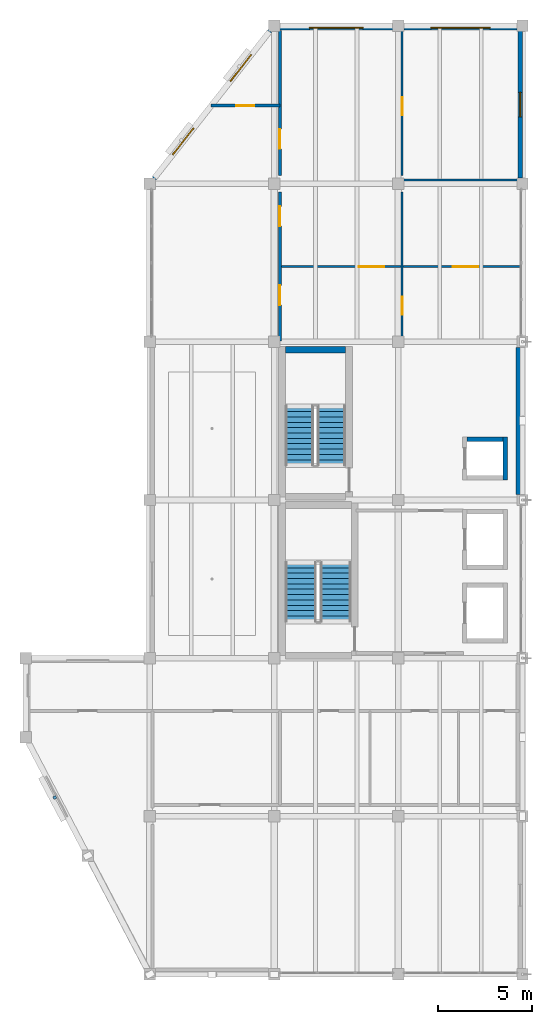
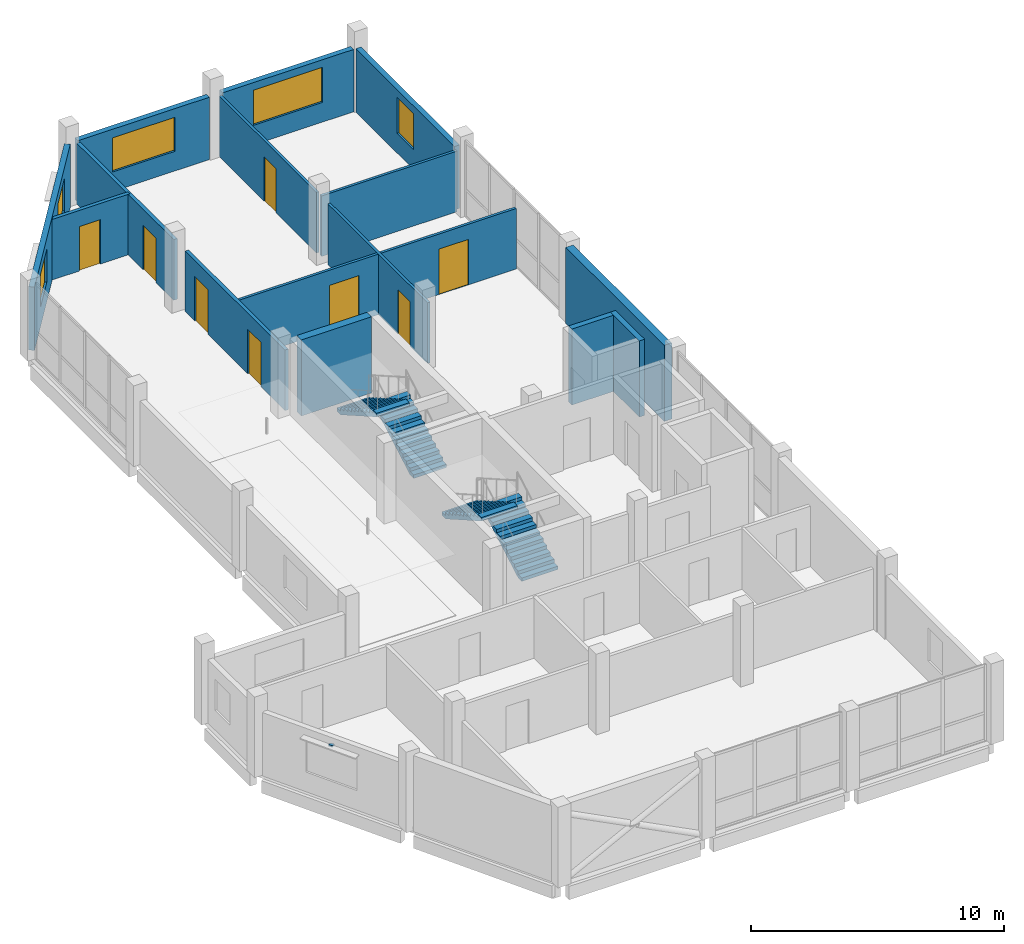
# One storey, part 7 of 12: 15 walls, 8 doors, 5 windows, 4 stair flights, 1 discrete accessory, 13 openings, 2 elements without a shape of their own.
"""IFC4 building model written with IfcOpenShell, lengths in metres."""

from ifc_helpers import new_model, si_unit, direction, frame, frame_2d, origin, origin_2d, place, context, subcontext, project, spatial, polyline, rectangle, outline, extrude, material, layer, layer_set, type_object, element, fill, aggregate, save


model = new_model("IFC4")

# Units and contexts
model_context = context("Model", 3, precision=1e-05, world=origin(), true_north=direction((0.0, 1.0)))
body_context = subcontext(model_context, "Body", "Model", "MODEL_VIEW")
ifc_project = project(units=[si_unit("LENGTHUNIT", "METRE"), si_unit("AREAUNIT", "SQUARE_METRE"), si_unit("VOLUMEUNIT", "CUBIC_METRE"), si_unit("PLANEANGLEUNIT", "RADIAN"), si_unit("MASSUNIT", "GRAM", prefix="KILO")], contexts=[model_context])

# Site, building, storey
site_placement = place(None, origin())
site = spatial("IfcSite", under=ifc_project, at=site_placement, CompositionType="ELEMENT")
building_placement = place(site_placement, origin())
building = spatial("IfcBuilding", under=site, at=building_placement, Name="Qaldarim Faculty of Natural and Applied Sciences", CompositionType="ELEMENT")
storey_placement = place(building_placement, frame((0.0, 0.0, 35.39990234375)))
storey = spatial("IfcBuildingStorey", under=building, at=storey_placement, Name="L08", CompositionType="ELEMENT", Elevation=35.39990234375)

# Wall, opening, door
ifc_material_1 = material(Name="Painted gypsum partition board")
ifc_layer_1 = layer(ifc_material_1, 0.1201171875)
ifc_layer_set_1 = layer_set([ifc_layer_1], Name="Painted gypsum partition board")
wall_type_1 = type_object("IfcWallType", Name="AcousticPartition-120", PredefinedType="PARTITIONING", material=ifc_layer_set_1)
wall_1_placement = place(storey_placement, frame((171.800048828125, 33.64990234375, 0.0), z_axis=(0.0, 0.0, 1.0), x_axis=(0.0, 1.0, 0.0)))
wall_1 = element("IfcWall", 1, at=wall_1_placement, inside=storey, type_object=wall_type_1, Name="Interior partition PRT-L08-U-D1-S1", PredefinedType="PARTITIONING", context=body_context, shape_type="SweptSolid", body=[
    extrude(rectangle(XDim=7.900146484375, YDim=0.1201171875, at=frame_2d((3.9501953125, 0.0))), origin(), (0.0, 0.0, 1.0), 2.93017578125),
])
opening_1_placement = place(wall_1_placement, frame((1.39990234375, 0.0, 0.0)))
opening_1 = element("IfcOpeningElement", 2, at=opening_1_placement, cuts=wall_1, Name="Opening ID01", PredefinedType="OPENING", context=body_context, shape_type="SweptSolid", body=[
    extrude(rectangle(XDim=0.949951171875, YDim=2.14990234375, at=frame_2d((0.47509765625, 1.074951171875))), frame((0.0, 0.070068359375, 0.0), z_axis=(0.0, -1.0, 0.0), x_axis=(1.0, 0.0, 0.0)), (0.0, 0.0, 1.0), 0.14013671875),
])
ifc_material_2 = material(Name="Oak hardwood", Category="wood")
door_type_1 = type_object("IfcDoorType", Name="SingleRoomDoor-950x2150", OperationType="NOTDEFINED", PredefinedType="DOOR", material=ifc_material_2)
door_1_placement = place(opening_1_placement, origin())
door_1 = element("IfcDoor", 3, at=door_1_placement, inside=storey, type_object=door_type_1, Name="Interior door D-L08-279", OperationType="SINGLE_SWING_LEFT", OverallHeight=2.14990234375, OverallWidth=0.949951171875, PredefinedType="DOOR", context=body_context, shape_type="SweptSolid", body=[
    extrude(rectangle(XDim=0.949951171875, YDim=2.14990234375, at=frame_2d((0.47509765625, 1.074951171875))), frame((0.0, 0.02490234375, 0.0), z_axis=(0.0, -1.0, 0.0), x_axis=(1.0, 0.0, 0.0)), (0.0, 0.0, 1.0), 0.050048828125),
])
fill(opening_1, door_1)

wall_2_placement = place(storey_placement, frame((171.800048828125, 42.449951171875, 0.0), z_axis=(0.0, 0.0, 1.0), x_axis=(0.0, 1.0, 0.0)))
wall_2 = element("IfcWall", 4, at=wall_2_placement, inside=storey, type_object=wall_type_1, Name="Interior partition PRT-L08-U-D1-S2", PredefinedType="PARTITIONING", context=body_context, shape_type="SweptSolid", body=[
    extrude(rectangle(XDim=7.699951171875, YDim=0.1201171875, at=frame_2d((3.85009765625, 0.0))), origin(), (0.0, 0.0, 1.0), 2.93017578125),
])
opening_2_placement = place(wall_2_placement, frame((3.199951171875, 0.0, 0.0)))
opening_2 = element("IfcOpeningElement", 5, at=opening_2_placement, cuts=wall_2, Name="Opening ID01", PredefinedType="OPENING", context=body_context, shape_type="SweptSolid", body=[
    extrude(rectangle(XDim=0.949951171875, YDim=2.14990234375, at=frame_2d((0.47509765625, 1.074951171875))), frame((0.0, 0.070068359375, 0.0), z_axis=(0.0, -1.0, 0.0), x_axis=(1.0, 0.0, 0.0)), (0.0, 0.0, 1.0), 0.14013671875),
])
door_2_placement = place(opening_2_placement, origin())
door_2 = element("IfcDoor", 6, at=door_2_placement, inside=storey, type_object=door_type_1, Name="Interior door D-L08-280", OperationType="SINGLE_SWING_RIGHT", OverallHeight=2.14990234375, OverallWidth=0.949951171875, PredefinedType="DOOR", context=body_context, shape_type="SweptSolid", body=[
    extrude(rectangle(XDim=0.949951171875, YDim=2.14990234375, at=frame_2d((0.47509765625, 1.074951171875))), frame((0.0, 0.02490234375, 0.0), z_axis=(0.0, -1.0, 0.0), x_axis=(1.0, 0.0, 0.0)), (0.0, 0.0, 1.0), 0.050048828125),
])
fill(opening_2, door_2)

# Wall
wall_3_placement = place(storey_placement, frame((171.800048828125, 42.199951171875, 0.0), z_axis=(0.0, 0.0, 1.0), x_axis=(1.0, 0.0, 0.0)))
element("IfcWall", 7, at=wall_3_placement, inside=storey, type_object=wall_type_1, Name="Interior partition PRT-L08-U-D2", PredefinedType="PARTITIONING", context=body_context, shape_type="SweptSolid", body=[
    extrude(rectangle(XDim=6.199951171875, YDim=0.1201171875, at=frame_2d((3.10009765625, 0.0))), origin(), (0.0, 0.0, 1.0), 2.93017578125),
])

# Wall, openings, doors
wall_4_placement = place(storey_placement, frame((165.300048828125, 37.60009765625, 0.0), z_axis=(0.0, 0.0, 1.0), x_axis=(1.0, 0.0, 0.0)))
wall_4 = element("IfcWall", 8, at=wall_4_placement, inside=storey, type_object=wall_type_1, Name="Interior partition PRT-L08-V5-USUB-1", PredefinedType="PARTITIONING", context=body_context, shape_type="SweptSolid", body=[
    extrude(rectangle(XDim=12.75, YDim=0.1201171875, at=frame_2d((6.375, 0.0))), origin(), (0.0, 0.0, 1.0), 2.93017578125),
])
opening_3_placement = place(wall_4_placement, frame((4.199951171875, 0.0, 0.0)))
opening_3 = element("IfcOpeningElement", 9, at=opening_3_placement, cuts=wall_4, Name="Opening ID10", PredefinedType="OPENING", context=body_context, shape_type="SweptSolid", body=[
    extrude(rectangle(XDim=1.35009765625, YDim=2.199951171875, at=frame_2d((0.675048828125, 1.10009765625))), frame((0.0, 0.070068359375, 0.0), z_axis=(0.0, -1.0, 0.0), x_axis=(1.0, 0.0, 0.0)), (0.0, 0.0, 1.0), 0.14013671875),
])
opening_4_placement = place(wall_4_placement, frame((9.199951171875, 0.0, 0.0)))
opening_4 = element("IfcOpeningElement", 10, at=opening_4_placement, cuts=wall_4, Name="Opening ID10", PredefinedType="OPENING", context=body_context, shape_type="SweptSolid", body=[
    extrude(rectangle(XDim=1.35009765625, YDim=2.199951171875, at=frame_2d((0.675048828125, 1.10009765625))), frame((0.0, 0.070068359375, 0.0), z_axis=(0.0, -1.0, 0.0), x_axis=(1.0, 0.0, 0.0)), (0.0, 0.0, 1.0), 0.14013671875),
])
ifc_material_3 = material(Name="Architectural stainless steel 316", Category="steel")
door_type_2 = type_object("IfcDoorType", Name="ArchiveVaultDoor-1350x2200", OperationType="NOTDEFINED", PredefinedType="DOOR", material=ifc_material_3)
door_3_placement = place(opening_3_placement, origin())
door_3 = element("IfcDoor", 11, at=door_3_placement, inside=storey, type_object=door_type_2, Name="Interior door D-L08-358", OperationType="SINGLE_SWING_LEFT", OverallHeight=2.199951171875, OverallWidth=1.35009765625, PredefinedType="DOOR", context=body_context, shape_type="SweptSolid", body=[
    extrude(rectangle(XDim=1.35009765625, YDim=2.199951171875, at=frame_2d((0.675048828125, 1.10009765625))), frame((0.0, 0.02490234375, 0.0), z_axis=(0.0, -1.0, 0.0), x_axis=(1.0, 0.0, 0.0)), (0.0, 0.0, 1.0), 0.050048828125),
])
fill(opening_3, door_3)
door_4_placement = place(opening_4_placement, origin())
door_4 = element("IfcDoor", 12, at=door_4_placement, inside=storey, type_object=door_type_2, Name="Interior door D-L08-359", OperationType="SINGLE_SWING_RIGHT", OverallHeight=2.199951171875, OverallWidth=1.35009765625, PredefinedType="DOOR", context=body_context, shape_type="SweptSolid", body=[
    extrude(rectangle(XDim=1.35009765625, YDim=2.199951171875, at=frame_2d((0.675048828125, 1.10009765625))), frame((0.0, 0.02490234375, 0.0), z_axis=(0.0, -1.0, 0.0), x_axis=(1.0, 0.0, 0.0)), (0.0, 0.0, 1.0), 0.050048828125),
])
fill(opening_4, door_4)

# Wall
ifc_material_4 = material(Name="Concrete C50/60", Category="concrete")
ifc_layer_2 = layer(ifc_material_4, 0.360107421875)
ifc_layer_set_2 = layer_set([ifc_layer_2], Name="Concrete C50/60")
wall_type_2 = type_object("IfcWallType", Name="CoreShearWall-360", PredefinedType="SHEAR", material=ifc_layer_set_2)
wall_5_placement = place(storey_placement, frame((165.60009765625, 33.179931640625, 0.0), z_axis=(0.0, 0.0, 1.0), x_axis=(1.0, 0.0, 0.0)))
element("IfcWall", 13, at=wall_5_placement, inside=storey, type_object=wall_type_2, Name="Core stair ST-A2 north shear wall L08", PredefinedType="SHEAR", context=body_context, shape_type="SweptSolid", body=[
    extrude(rectangle(XDim=3.199951171875, YDim=0.360107421875, at=frame_2d((1.60009765625, 0.0))), origin(), (0.0, 0.0, 1.0), 3.68017578125),
])

# Wall, opening, window
ifc_material_5 = material(Name="Precast concrete C40/50", Category="concrete")
ifc_layer_3 = layer(ifc_material_5, 0.239990234375)
ifc_layer_set_3 = layer_set([ifc_layer_3], Name="Precast concrete C40/50")
wall_type_3 = type_object("IfcWallType", Name="ExteriorInsulatedWall-240", PredefinedType="SOLIDWALL", material=ifc_layer_set_3)
wall_6_placement = place(storey_placement, frame((171.304931640625, 50.280029296875, 0.0), z_axis=(0.0, 0.0, 1.0), x_axis=(-1.0, 0.0, 0.0)))
wall_6 = element("IfcWall", 14, at=wall_6_placement, inside=storey, type_object=wall_type_3, Name="Exterior wall EW03 L08 N X26Y06", PredefinedType="SOLIDWALL", context=body_context, shape_type="SweptSolid", body=[
    extrude(rectangle(XDim=6.010009765625, YDim=0.239990234375, at=frame_2d((3.0048828125, 0.0))), origin(), (0.0, 0.0, 1.0), 3.01513671875),
])
opening_5_placement = place(wall_6_placement, frame((1.580078125, 0.0, 0.949951171875)))
opening_5 = element("IfcOpeningElement", 15, at=opening_5_placement, cuts=wall_6, Name="Opening WN14", PredefinedType="OPENING", context=body_context, shape_type="SweptSolid", body=[
    extrude(rectangle(XDim=2.85009765625, YDim=1.64990234375, at=frame_2d((1.425048828125, 0.824951171875))), frame((0.0, 0.1298828125, 0.0), z_axis=(0.0, -1.0, 0.0), x_axis=(1.0, 0.0, 0.0)), (0.0, 0.0, 1.0), 0.260009765625),
])
ifc_material_6 = material(Name="Insulated low-e double glazing", Category="glass")
window_type_1 = type_object("IfcWindowType", Name="LabWindow-2850x1650", PartitioningType="TRIPLE_PANEL_VERTICAL", PredefinedType="WINDOW", material=ifc_material_6)
window_1_placement = place(opening_5_placement, origin())
window_1 = element("IfcWindow", 16, at=window_1_placement, inside=storey, type_object=window_type_1, Name="Facade window WN14 L08 N X26Y06", OverallHeight=1.64990234375, OverallWidth=2.85009765625, PartitioningType="SINGLE_PANEL", PredefinedType="WINDOW", context=body_context, shape_type="SweptSolid", body=[
    extrude(rectangle(XDim=2.85009765625, YDim=1.64990234375, at=frame_2d((1.425048828125, 0.824951171875))), frame((0.0, 0.030029296875, 0.0), z_axis=(0.0, -1.0, 0.0), x_axis=(1.0, 0.0, 0.0)), (0.0, 0.0, 1.0), 0.06005859375),
])
fill(opening_5, window_1)

wall_7_placement = place(storey_placement, frame((178.080078125, 42.294921875, 0.0), z_axis=(0.0, 0.0, 1.0), x_axis=(0.0, 1.0, 0.0)))
wall_7 = element("IfcWall", 17, at=wall_7_placement, inside=storey, type_object=wall_type_3, Name="Exterior wall EW03 L08 E X27Y06", PredefinedType="SOLIDWALL", context=body_context, shape_type="SweptSolid", body=[
    extrude(rectangle(XDim=7.81005859375, YDim=0.239990234375, at=frame_2d((3.905029296875, 0.0))), origin(), (0.0, 0.0, 1.0), 3.065185546875),
])
opening_6_placement = place(wall_7_placement, frame((3.2548828125, 0.0, 0.949951171875)))
opening_6 = element("IfcOpeningElement", 18, at=opening_6_placement, cuts=wall_7, Name="Opening WN18", PredefinedType="OPENING", context=body_context, shape_type="SweptSolid", body=[
    extrude(rectangle(XDim=1.300048828125, YDim=1.75, at=frame_2d((0.64990234375, 0.875))), frame((0.0, 0.1298828125, 0.0), z_axis=(0.0, -1.0, 0.0), x_axis=(1.0, 0.0, 0.0)), (0.0, 0.0, 1.0), 0.260009765625),
])
window_type_2 = type_object("IfcWindowType", Name="StudyWindow-1300x1750", PartitioningType="SINGLE_PANEL", PredefinedType="WINDOW", material=ifc_material_6)
window_2_placement = place(opening_6_placement, origin())
window_2 = element("IfcWindow", 19, at=window_2_placement, inside=storey, type_object=window_type_2, Name="Facade window WN18 L08 E X27Y06", OverallHeight=1.75, OverallWidth=1.300048828125, PartitioningType="SINGLE_PANEL", PredefinedType="WINDOW", context=body_context, shape_type="SweptSolid", body=[
    extrude(rectangle(XDim=1.300048828125, YDim=1.75, at=frame_2d((0.64990234375, 0.875))), frame((0.0, 0.030029296875, 0.0), z_axis=(0.0, -1.0, 0.0), x_axis=(1.0, 0.0, 0.0)), (0.0, 0.0, 1.0), 0.06005859375),
])
fill(opening_6, window_2)

wall_8_placement = place(storey_placement, frame((177.905029296875, 50.280029296875, 0.0), z_axis=(0.0, 0.0, 1.0), x_axis=(-1.0, 0.0, 0.0)))
wall_8 = element("IfcWall", 20, at=wall_8_placement, inside=storey, type_object=wall_type_3, Name="Exterior wall EW03 L08 N X27Y06", PredefinedType="SOLIDWALL", context=body_context, shape_type="SweptSolid", body=[
    extrude(rectangle(XDim=6.010009765625, YDim=0.239990234375, at=frame_2d((3.0048828125, 0.0))), origin(), (0.0, 0.0, 1.0), 3.01513671875),
])
opening_7_placement = place(wall_8_placement, frame((1.429931640625, 0.0, 0.949951171875)))
opening_7 = element("IfcOpeningElement", 21, at=opening_7_placement, cuts=wall_8, Name="Opening WN15", PredefinedType="OPENING", context=body_context, shape_type="SweptSolid", body=[
    extrude(rectangle(XDim=3.14990234375, YDim=1.699951171875, at=frame_2d((1.574951171875, 0.85009765625))), frame((0.0, 0.1298828125, 0.0), z_axis=(0.0, -1.0, 0.0), x_axis=(1.0, 0.0, 0.0)), (0.0, 0.0, 1.0), 0.260009765625),
])
window_type_3 = type_object("IfcWindowType", Name="LabWindow-3150x1700", PartitioningType="TRIPLE_PANEL_VERTICAL", PredefinedType="WINDOW", material=ifc_material_6)
window_3_placement = place(opening_7_placement, origin())
window_3 = element("IfcWindow", 22, at=window_3_placement, inside=storey, type_object=window_type_3, Name="Facade window WN15 L08 N X27Y06", OverallHeight=1.699951171875, OverallWidth=3.14990234375, PartitioningType="SINGLE_PANEL", PredefinedType="WINDOW", context=body_context, shape_type="SweptSolid", body=[
    extrude(rectangle(XDim=3.14990234375, YDim=1.699951171875, at=frame_2d((1.574951171875, 0.85009765625))), frame((0.0, 0.030029296875, 0.0), z_axis=(0.0, -1.0, 0.0), x_axis=(1.0, 0.0, 0.0)), (0.0, 0.0, 1.0), 0.06005859375),
])
fill(opening_7, window_3)

# Wall, openings, windows
wall_9_placement = place(storey_placement, frame((158.6201171875, 42.280029296875, 0.0), z_axis=(0.0, 0.0, 1.0), x_axis=(0.617811819191, 0.786325985878, 0.0)))
wall_9 = element("IfcWall", 23, at=wall_9_placement, inside=storey, type_object=wall_type_3, Name="Oblique NW chamfer fenestrated wall L08", PredefinedType="SOLIDWALL", context=body_context, shape_type="SweptSolid", body=[
    extrude(rectangle(XDim=9.970458984375, YDim=0.239990234375, at=frame_2d((4.9853515625, 0.0))), origin(), (0.0, 0.0, 1.0), 3.065185546875),
])
opening_8_placement = place(wall_9_placement, frame((1.60009765625, 0.0, 0.949951171875)))
opening_8 = element("IfcOpeningElement", 24, at=opening_8_placement, cuts=wall_9, Name="Opening WN02", PredefinedType="OPENING", context=body_context, shape_type="SweptSolid", body=[
    extrude(rectangle(XDim=1.800048828125, YDim=1.60009765625, at=frame_2d((0.89990234375, 0.800048828125))), frame((0.0, 0.1298828125, 0.0), z_axis=(0.0, -1.0, 0.0), x_axis=(1.0, 0.0, 0.0)), (0.0, 0.0, 1.0), 0.260009765625),
])
opening_9_placement = place(wall_9_placement, frame((6.570068359375, 0.0, 0.949951171875)))
opening_9 = element("IfcOpeningElement", 25, at=opening_9_placement, cuts=wall_9, Name="Opening WN02", PredefinedType="OPENING", context=body_context, shape_type="SweptSolid", body=[
    extrude(rectangle(XDim=1.800048828125, YDim=1.60009765625, at=frame_2d((0.89990234375, 0.800048828125))), frame((0.0, 0.1298828125, 0.0), z_axis=(0.0, -1.0, 0.0), x_axis=(1.0, 0.0, 0.0)), (0.0, 0.0, 1.0), 0.260009765625),
])
window_type_4 = type_object("IfcWindowType", Name="Window-1800x1600", PartitioningType="DOUBLE_PANEL_VERTICAL", PredefinedType="WINDOW", material=ifc_material_6)
window_4_placement = place(opening_8_placement, origin())
window_4 = element("IfcWindow", 26, at=window_4_placement, inside=storey, type_object=window_type_4, Name="Oblique NW stepped tier window L08 1", OverallHeight=1.60009765625, OverallWidth=1.800048828125, PartitioningType="SINGLE_PANEL", PredefinedType="WINDOW", context=body_context, shape_type="SweptSolid", body=[
    extrude(rectangle(XDim=1.800048828125, YDim=1.60009765625, at=frame_2d((0.89990234375, 0.800048828125))), frame((0.0, 0.030029296875, 0.0), z_axis=(0.0, -1.0, 0.0), x_axis=(1.0, 0.0, 0.0)), (0.0, 0.0, 1.0), 0.06005859375),
])
fill(opening_8, window_4)
window_5_placement = place(opening_9_placement, origin())
window_5 = element("IfcWindow", 27, at=window_5_placement, inside=storey, type_object=window_type_4, Name="Oblique NW stepped tier window L08 2", OverallHeight=1.60009765625, OverallWidth=1.800048828125, PartitioningType="SINGLE_PANEL", PredefinedType="WINDOW", context=body_context, shape_type="SweptSolid", body=[
    extrude(rectangle(XDim=1.800048828125, YDim=1.60009765625, at=frame_2d((0.89990234375, 0.800048828125))), frame((0.0, 0.030029296875, 0.0), z_axis=(0.0, -1.0, 0.0), x_axis=(1.0, 0.0, 0.0)), (0.0, 0.0, 1.0), 0.06005859375),
])
fill(opening_9, window_5)

# Wall
ifc_layer_4 = layer(ifc_material_4, 0.340087890625)
ifc_layer_set_4 = layer_set([ifc_layer_4], Name="Concrete C50/60")
wall_type_4 = type_object("IfcWallType", Name="ExteriorStairShearWall-340", PredefinedType="SHEAR", material=ifc_layer_set_4)
wall_10_placement = place(storey_placement, frame((178.030029296875, 25.4951171875, 0.0), z_axis=(0.0, 0.0, 1.0), x_axis=(0.0, 1.0, 0.0)))
element("IfcWall", 28, at=wall_10_placement, inside=storey, type_object=wall_type_4, Name="Exterior wall EW05 L08 E X27Y04", PredefinedType="SHEAR", context=body_context, shape_type="SweptSolid", body=[
    extrude(rectangle(XDim=7.809814453125, YDim=0.340087890625, at=frame_2d((3.90478515625, 0.0))), origin(), (0.0, 0.0, 1.0), 3.68017578125),
])

# Wall, openings, doors
ifc_material_7 = material(Name="Concrete C40/50", Category="concrete")
ifc_layer_5 = layer(ifc_material_7, 0.159912109375)
ifc_layer_set_5 = layer_set([ifc_layer_5], Name="Concrete C40/50")
wall_type_5 = type_object("IfcWallType", Name="FireCorridorWall-160", PredefinedType="PARTITIONING", material=ifc_layer_set_5)
wall_11_placement = place(storey_placement, frame((165.300048828125, 33.64990234375, 0.0), z_axis=(0.0, 0.0, 1.0), x_axis=(0.0, 1.0, 0.0)))
wall_11 = element("IfcWall", 29, at=wall_11_placement, inside=storey, type_object=wall_type_5, Name="Interior partition PRT-L08-U-NW-S1", PredefinedType="PARTITIONING", context=body_context, shape_type="SweptSolid", body=[
    extrude(rectangle(XDim=7.900146484375, YDim=0.159912109375, at=frame_2d((3.9501953125, 0.0))), origin(), (0.0, 0.0, 1.0), 2.93017578125),
])
opening_10_placement = place(wall_11_placement, frame((1.89990234375, 0.0, 0.0)))
opening_10 = element("IfcOpeningElement", 30, at=opening_10_placement, cuts=wall_11, Name="Opening ID02", PredefinedType="OPENING", context=body_context, shape_type="SweptSolid", body=[
    extrude(rectangle(XDim=1.050048828125, YDim=2.14990234375, at=frame_2d((0.52490234375, 1.074951171875))), frame((0.0, 0.08984375, 0.0), z_axis=(0.0, -1.0, 0.0), x_axis=(1.0, 0.0, 0.0)), (0.0, 0.0, 1.0), 0.179931640625),
])
opening_11_placement = place(wall_11_placement, frame((6.10009765625, 0.0, 0.0)))
opening_11 = element("IfcOpeningElement", 31, at=opening_11_placement, cuts=wall_11, Name="Opening ID02", PredefinedType="OPENING", context=body_context, shape_type="SweptSolid", body=[
    extrude(rectangle(XDim=1.050048828125, YDim=2.14990234375, at=frame_2d((0.52490234375, 1.074951171875))), frame((0.0, 0.08984375, 0.0), z_axis=(0.0, -1.0, 0.0), x_axis=(1.0, 0.0, 0.0)), (0.0, 0.0, 1.0), 0.179931640625),
])
door_type_3 = type_object("IfcDoorType", Name="AccessibleRoomDoor-1050x2150", OperationType="NOTDEFINED", PredefinedType="DOOR", material=ifc_material_2)
door_5_placement = place(opening_10_placement, origin())
door_5 = element("IfcDoor", 32, at=door_5_placement, inside=storey, type_object=door_type_3, Name="Interior door D-L08-276", OperationType="SINGLE_SWING_LEFT", OverallHeight=2.14990234375, OverallWidth=1.050048828125, PredefinedType="DOOR", context=body_context, shape_type="SweptSolid", body=[
    extrude(rectangle(XDim=1.050048828125, YDim=2.14990234375, at=frame_2d((0.52490234375, 1.074951171875))), frame((0.0, 0.02490234375, 0.0), z_axis=(0.0, -1.0, 0.0), x_axis=(1.0, 0.0, 0.0)), (0.0, 0.0, 1.0), 0.050048828125),
])
fill(opening_10, door_5)
door_6_placement = place(opening_11_placement, origin())
door_6 = element("IfcDoor", 33, at=door_6_placement, inside=storey, type_object=door_type_3, Name="Interior door D-L08-277", OperationType="SINGLE_SWING_RIGHT", OverallHeight=2.14990234375, OverallWidth=1.050048828125, PredefinedType="DOOR", context=body_context, shape_type="SweptSolid", body=[
    extrude(rectangle(XDim=1.050048828125, YDim=2.14990234375, at=frame_2d((0.52490234375, 1.074951171875))), frame((0.0, 0.02490234375, 0.0), z_axis=(0.0, -1.0, 0.0), x_axis=(1.0, 0.0, 0.0)), (0.0, 0.0, 1.0), 0.050048828125),
])
fill(opening_11, door_6)

# Wall, opening, door
wall_12_placement = place(storey_placement, frame((165.300048828125, 42.449951171875, 0.0), z_axis=(0.0, 0.0, 1.0), x_axis=(0.0, 1.0, 0.0)))
wall_12 = element("IfcWall", 34, at=wall_12_placement, inside=storey, type_object=wall_type_5, Name="Interior partition PRT-L08-U-NW-S2", PredefinedType="PARTITIONING", context=body_context, shape_type="SweptSolid", body=[
    extrude(rectangle(XDim=7.699951171875, YDim=0.159912109375, at=frame_2d((3.85009765625, 0.0))), origin(), (0.0, 0.0, 1.0), 2.93017578125),
])
opening_12_placement = place(wall_12_placement, frame((1.39990234375, 0.0, 0.0)))
opening_12 = element("IfcOpeningElement", 35, at=opening_12_placement, cuts=wall_12, Name="Opening ID02", PredefinedType="OPENING", context=body_context, shape_type="SweptSolid", body=[
    extrude(rectangle(XDim=1.050048828125, YDim=2.14990234375, at=frame_2d((0.52490234375, 1.074951171875))), frame((0.0, 0.08984375, 0.0), z_axis=(0.0, -1.0, 0.0), x_axis=(1.0, 0.0, 0.0)), (0.0, 0.0, 1.0), 0.179931640625),
])
door_7_placement = place(opening_12_placement, origin())
door_7 = element("IfcDoor", 36, at=door_7_placement, inside=storey, type_object=door_type_3, Name="Interior door D-L08-278", OperationType="SINGLE_SWING_LEFT", OverallHeight=2.14990234375, OverallWidth=1.050048828125, PredefinedType="DOOR", context=body_context, shape_type="SweptSolid", body=[
    extrude(rectangle(XDim=1.050048828125, YDim=2.14990234375, at=frame_2d((0.52490234375, 1.074951171875))), frame((0.0, 0.02490234375, 0.0), z_axis=(0.0, -1.0, 0.0), x_axis=(1.0, 0.0, 0.0)), (0.0, 0.0, 1.0), 0.050048828125),
])
fill(opening_12, door_7)

wall_13_placement = place(storey_placement, frame((161.64990234375, 46.14990234375, 0.0), z_axis=(0.0, 0.0, 1.0), x_axis=(1.0, 0.0, 0.0)))
wall_13 = element("IfcWall", 37, at=wall_13_placement, inside=storey, type_object=wall_type_5, Name="Interior partition PRT-L08-V5-NWRS", PredefinedType="PARTITIONING", context=body_context, shape_type="SweptSolid", body=[
    extrude(rectangle(XDim=3.650146484375, YDim=0.159912109375, at=frame_2d((1.8251953125, 0.0))), origin(), (0.0, 0.0, 1.0), 2.93017578125),
])
opening_13_placement = place(wall_13_placement, frame((1.35009765625, 0.0, 0.0)))
opening_13 = element("IfcOpeningElement", 38, at=opening_13_placement, cuts=wall_13, Name="Opening ID01", PredefinedType="OPENING", context=body_context, shape_type="SweptSolid", body=[
    extrude(rectangle(XDim=0.949951171875, YDim=2.14990234375, at=frame_2d((0.47509765625, 1.074951171875))), frame((0.0, 0.08984375, 0.0), z_axis=(0.0, -1.0, 0.0), x_axis=(1.0, 0.0, 0.0)), (0.0, 0.0, 1.0), 0.179931640625),
])
door_8_placement = place(opening_13_placement, origin())
door_8 = element("IfcDoor", 39, at=door_8_placement, inside=storey, type_object=door_type_1, Name="Interior door D-L08-405", OperationType="SINGLE_SWING_LEFT", OverallHeight=2.14990234375, OverallWidth=0.949951171875, PredefinedType="DOOR", context=body_context, shape_type="SweptSolid", body=[
    extrude(rectangle(XDim=0.949951171875, YDim=2.14990234375, at=frame_2d((0.47509765625, 1.074951171875))), frame((0.0, 0.02490234375, 0.0), z_axis=(0.0, -1.0, 0.0), x_axis=(1.0, 0.0, 0.0)), (0.0, 0.0, 1.0), 0.050048828125),
])
fill(opening_13, door_8)

# Walls
ifc_layer_6 = layer(ifc_material_7, 0.25)
ifc_layer_set_6 = layer_set([ifc_layer_6], Name="Concrete C40/50")
wall_type_6 = type_object("IfcWallType", Name="LiftShaftWall-250", PredefinedType="SHEAR", material=ifc_layer_set_6)
wall_14_placement = place(storey_placement, frame((177.27490234375, 26.25, 0.0), z_axis=(0.0, 0.0, 1.0), x_axis=(0.0, 1.0, 0.0)))
element("IfcWall", 40, at=wall_14_placement, inside=storey, type_object=wall_type_6, Name="Lift LF-A3 rear shaft wall L08", PredefinedType="SHEAR", context=body_context, shape_type="SweptSolid", body=[
    extrude(rectangle(XDim=2.300048828125, YDim=0.25, at=frame_2d((1.14990234375, 0.0))), origin(), (0.0, 0.0, 1.0), 3.68017578125),
])
wall_15_placement = place(storey_placement, frame((175.25, 28.425048828125, 0.0), z_axis=(0.0, 0.0, 1.0), x_axis=(1.0, 0.0, 0.0)))
element("IfcWall", 41, at=wall_15_placement, inside=storey, type_object=wall_type_6, Name="Lift LF-A3 north shaft wall L08", PredefinedType="SHEAR", context=body_context, shape_type="SweptSolid", body=[
    extrude(rectangle(XDim=1.89990234375, YDim=0.25, at=frame_2d((0.949951171875, 0.0))), origin(), (0.0, 0.0, 1.0), 3.68017578125),
])

# Stair, stair flights
stair_type_1 = type_object("IfcStairType", Name="DoglegStair-W1500-H3900-24R", PredefinedType="HALF_TURN_STAIR", material=ifc_material_7)
stair_1_placement = place(storey_placement, origin())
stair_1 = element("IfcStair", 42, at=stair_1_placement, inside=storey, type_object=stair_type_1, Name="Enclosed exit stair ST-A2 L08", PredefinedType="HALF_TURN_STAIR")
stair_flight_type_1 = type_object("IfcStairFlightType", Name="StairFlight-W1500-12R", PredefinedType="STRAIGHT", material=ifc_material_7)
stair_flight_1_placement = place(storey_placement, frame((168.050048828125, 27.050048828125, 0.0), z_axis=(0.0, 0.0, 1.0), x_axis=(0.0, 1.0, 0.0)))
stair_flight_1 = element("IfcStairFlight", 43, at=stair_flight_1_placement, type_object=stair_flight_type_1, Name="ST-A2 L08 flight 1", NumberOfRisers=12, NumberOfTreads=11, PredefinedType="STRAIGHT", RiserHeight=0.1625, TreadLength=0.285, context=body_context, shape_type="SweptSolid", body=[
    extrude(outline(polyline([(0.0, 0.0), (0.0, 0.16259765625), (0.284912109375, 0.16259765625), (0.284912109375, 0.324951171875), (0.570068359375, 0.324951171875), (0.570068359375, 0.487548828125), (0.85498046875, 0.487548828125), (0.85498046875, 0.64990234375), (1.139892578125, 0.64990234375), (1.139892578125, 0.8125), (1.425048828125, 0.8125), (1.425048828125, 0.97509765625), (1.7099609375, 0.97509765625), (1.7099609375, 1.137451171875), (1.9951171875, 1.137451171875), (1.9951171875, 1.300048828125), (2.280029296875, 1.300048828125), (2.280029296875, 1.46240234375), (2.56494140625, 1.46240234375), (2.56494140625, 1.625), (2.85009765625, 1.625), (2.85009765625, 1.78759765625), (3.135009765625, 1.78759765625), (3.135009765625, 1.949951171875), (3.135009765625, 1.614990234375), (0.302734375, 0.0), (0.0, 0.0)])), frame((0.0, 0.75, 0.0), z_axis=(0.0, -1.0, 0.0), x_axis=(1.0, 0.0, 0.0)), (0.0, 0.0, 1.0), 1.5),
])
stair_flight_2_placement = place(storey_placement, frame((166.35009765625, 30.18505859375, 1.9501953125), z_axis=(0.0, 0.0, 1.0), x_axis=(0.0, -1.0, 0.0)))
stair_flight_2 = element("IfcStairFlight", 44, at=stair_flight_2_placement, type_object=stair_flight_type_1, Name="ST-A2 L08 flight 2", NumberOfRisers=12, NumberOfTreads=11, PredefinedType="STRAIGHT", RiserHeight=0.1625, TreadLength=0.285, context=body_context, shape_type="SweptSolid", body=[
    extrude(outline(polyline([(0.0, 0.0), (0.0, 0.16259765625), (0.284912109375, 0.16259765625), (0.284912109375, 0.324951171875), (0.570068359375, 0.324951171875), (0.570068359375, 0.487548828125), (0.85498046875, 0.487548828125), (0.85498046875, 0.64990234375), (1.139892578125, 0.64990234375), (1.139892578125, 0.8125), (1.425048828125, 0.8125), (1.425048828125, 0.97509765625), (1.7099609375, 0.97509765625), (1.7099609375, 1.137451171875), (1.9951171875, 1.137451171875), (1.9951171875, 1.300048828125), (2.280029296875, 1.300048828125), (2.280029296875, 1.46240234375), (2.56494140625, 1.46240234375), (2.56494140625, 1.625), (2.85009765625, 1.625), (2.85009765625, 1.78759765625), (3.135009765625, 1.78759765625), (3.135009765625, 1.949951171875), (3.135009765625, 1.614990234375), (0.302734375, 0.0), (0.0, 0.0)])), frame((0.0, 0.75, 0.0), z_axis=(0.0, -1.0, 0.0), x_axis=(1.0, 0.0, 0.0)), (0.0, 0.0, 1.0), 1.5),
])
aggregate(stair_1, [stair_flight_1, stair_flight_2])

stair_type_2 = type_object("IfcStairType", Name="DoglegStair-W1650-H3900-24R", PredefinedType="HALF_TURN_STAIR", material=ifc_material_7)
stair_2_placement = place(storey_placement, origin())
stair_2 = element("IfcStair", 45, at=stair_2_placement, inside=storey, type_object=stair_type_2, Name="Enclosed exit stair ST-A1 L08", PredefinedType="HALF_TURN_STAIR")
stair_flight_type_2 = type_object("IfcStairFlightType", Name="StairFlight-W1650-12R", PredefinedType="STRAIGHT", material=ifc_material_7)
stair_flight_3_placement = place(storey_placement, frame((168.27490234375, 18.75, 0.0), z_axis=(0.0, 0.0, 1.0), x_axis=(0.0, 1.0, 0.0)))
stair_flight_3 = element("IfcStairFlight", 46, at=stair_flight_3_placement, type_object=stair_flight_type_2, Name="ST-A1 L08 flight 1", NumberOfRisers=12, NumberOfTreads=11, PredefinedType="STRAIGHT", RiserHeight=0.1625, TreadLength=0.285, context=body_context, shape_type="SweptSolid", body=[
    extrude(outline(polyline([(0.0, 0.0), (0.0, 0.16259765625), (0.284912109375, 0.16259765625), (0.284912109375, 0.324951171875), (0.570068359375, 0.324951171875), (0.570068359375, 0.487548828125), (0.85498046875, 0.487548828125), (0.85498046875, 0.64990234375), (1.139892578125, 0.64990234375), (1.139892578125, 0.8125), (1.425048828125, 0.8125), (1.425048828125, 0.97509765625), (1.7099609375, 0.97509765625), (1.7099609375, 1.137451171875), (1.9951171875, 1.137451171875), (1.9951171875, 1.300048828125), (2.280029296875, 1.300048828125), (2.280029296875, 1.46240234375), (2.56494140625, 1.46240234375), (2.56494140625, 1.625), (2.85009765625, 1.625), (2.85009765625, 1.78759765625), (3.135009765625, 1.78759765625), (3.135009765625, 1.949951171875), (3.135009765625, 1.614990234375), (0.302734375, 0.0), (0.0, 0.0)])), frame((0.0, 0.824951171875, 0.0), z_axis=(0.0, -1.0, 0.0), x_axis=(1.0, 0.0, 0.0)), (0.0, 0.0, 1.0), 1.64990234375),
])
stair_flight_4_placement = place(storey_placement, frame((166.425048828125, 21.885009765625, 1.9501953125), z_axis=(0.0, 0.0, 1.0), x_axis=(0.0, -1.0, 0.0)))
stair_flight_4 = element("IfcStairFlight", 47, at=stair_flight_4_placement, type_object=stair_flight_type_2, Name="ST-A1 L08 flight 2", NumberOfRisers=12, NumberOfTreads=11, PredefinedType="STRAIGHT", RiserHeight=0.1625, TreadLength=0.285, context=body_context, shape_type="SweptSolid", body=[
    extrude(outline(polyline([(0.0, 0.0), (0.0, 0.16259765625), (0.284912109375, 0.16259765625), (0.284912109375, 0.324951171875), (0.570068359375, 0.324951171875), (0.570068359375, 0.487548828125), (0.85498046875, 0.487548828125), (0.85498046875, 0.64990234375), (1.139892578125, 0.64990234375), (1.139892578125, 0.8125), (1.425048828125, 0.8125), (1.425048828125, 0.97509765625), (1.7099609375, 0.97509765625), (1.7099609375, 1.137451171875), (1.9951171875, 1.137451171875), (1.9951171875, 1.300048828125), (2.280029296875, 1.300048828125), (2.280029296875, 1.46240234375), (2.56494140625, 1.46240234375), (2.56494140625, 1.625), (2.85009765625, 1.625), (2.85009765625, 1.78759765625), (3.135009765625, 1.78759765625), (3.135009765625, 1.949951171875), (3.135009765625, 1.614990234375), (0.302734375, 0.0), (0.0, 0.0)])), frame((0.0, 0.824951171875, 0.0), z_axis=(0.0, -1.0, 0.0), x_axis=(1.0, 0.0, 0.0)), (0.0, 0.0, 1.0), 1.64990234375),
])
aggregate(stair_2, [stair_flight_3, stair_flight_4])

# Discrete accessory
ifc_layer_7 = layer(ifc_material_3, 0.080078125)
ifc_layer_set_7 = layer_set([ifc_layer_7], Name="Architectural stainless steel 316")
discrete_accessory_type = type_object("IfcDiscreteAccessoryType", Name="FacadeBracket-SS120", PredefinedType="BRACKET", material=ifc_layer_set_7)
discrete_accessory_placement = place(storey_placement, frame((153.344970703125, 9.39501953125, 2.66015625), z_axis=(0.0, 0.0, 1.0), x_axis=(0.46447113214, -0.885588260654, 0.0)))
element("IfcDiscreteAccessory", 48, at=discrete_accessory_placement, inside=storey, type_object=discrete_accessory_type, Name="Oblique solar louvre bracket SHD-OBL-SW-L08-1", PredefinedType="BRACKET", context=body_context, shape_type="SweptSolid", body=[
    extrude(rectangle(XDim=0.159912109375, YDim=0.159912109375, at=origin_2d()), origin(), (0.0, 0.0, 1.0), 0.080078125),
])

save(model, "model.ifc")
